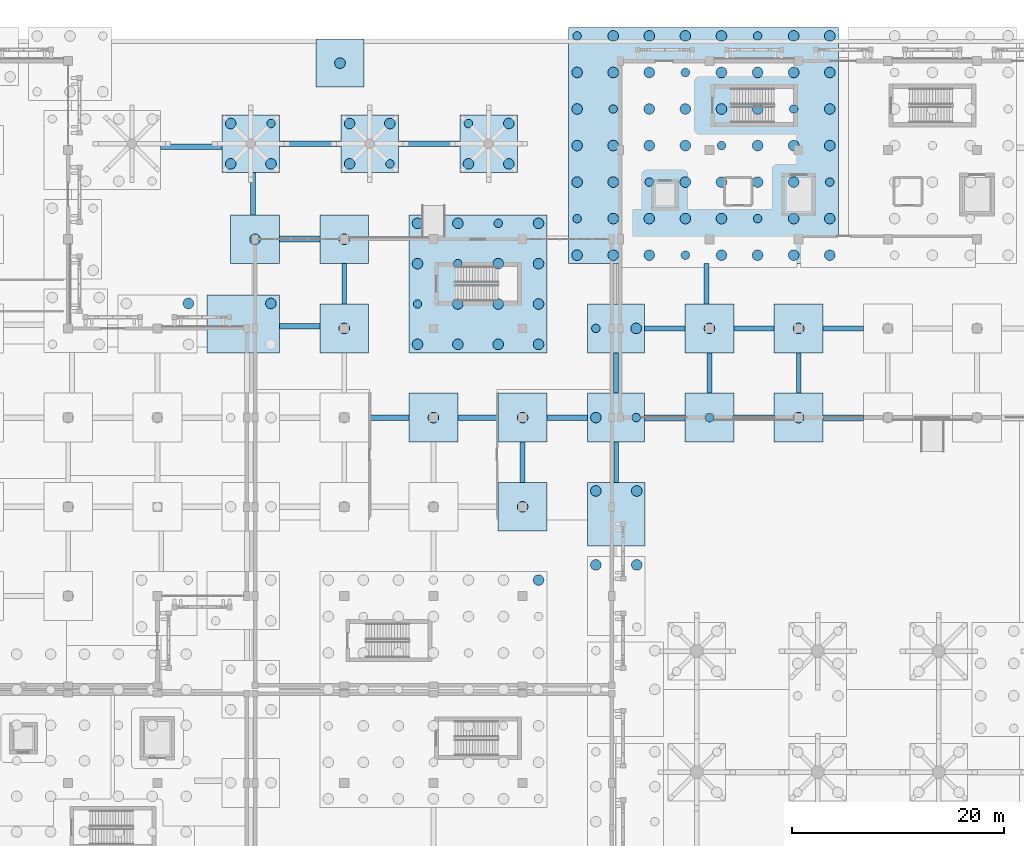
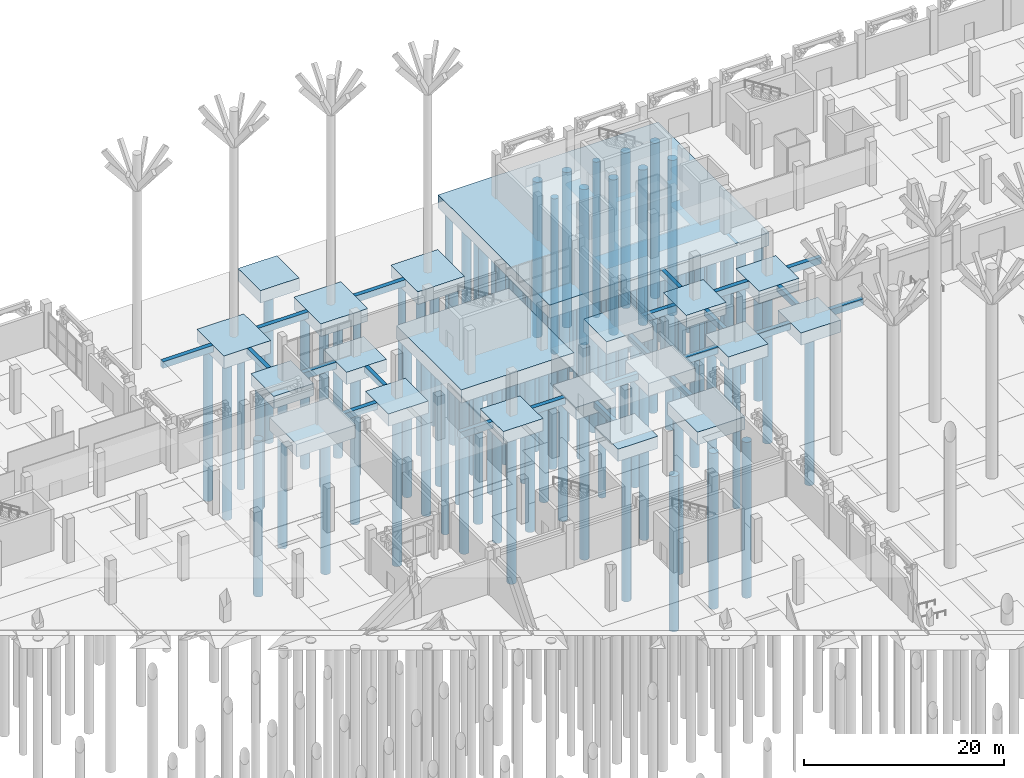
# One storey, part 6 of 98: 106 piles, 42 footings.
"""IFC4 building model written with IfcOpenShell, lengths in metres."""

import ifcopenshell
import ifcopenshell.guid

model = None  # the IFC model being written
_history = None  # IfcOwnerHistory: only IFC2X3 demands one
_inside = {}  # id of a spatial element -> (the spatial element, [elements in it])
_under = {}  # id of a project, library or spatial element -> (it, [spatial elements below it])
_declared = {}  # id of a project -> (the project, [libraries it declares])
_typed = {}  # id of a type object -> (the type object, [elements of that type])
_made_of = {}  # id of a material, layer set ... -> (it, [elements and type objects made of it])


def new_model(schema):
    """Start an empty IFC model of exactly this schema.

    Asked for "IFC4X3", IfcOpenShell would pick the latest addendum, in which some entities
    have other attributes; the version numbers below select the first issue.
    IFC2X3 requires an IfcOwnerHistory on every rooted entity: one is made here for all.
    """
    global model, _history
    if schema == "IFC4X3":
        model = ifcopenshell.file(schema_version=(4, 3, 0, 0))
    else:
        model = ifcopenshell.file(schema=schema)
    _inside.clear()
    _under.clear()
    _declared.clear()
    _typed.clear()
    _made_of.clear()
    _history = None
    if model.schema == "IFC2X3":
        org = make("IfcOrganization", Name="unknown")
        user = make(
            "IfcPersonAndOrganization",
            ThePerson=make("IfcPerson", FamilyName="unknown"),
            TheOrganization=org,
        )
        app = make(
            "IfcApplication",
            ApplicationDeveloper=org,
            Version="unknown",
            ApplicationFullName="unknown",
            ApplicationIdentifier="unknown",
        )
        _history = make(
            "IfcOwnerHistory",
            OwningUser=user,
            OwningApplication=app,
            ChangeAction="ADDED",
            CreationDate=0,
        )
    return model


def make(cls, **values):
    """One entity of the class cls with the attributes given. An attribute that is None is left unset."""
    return model.create_entity(
        cls, **{name: value for name, value in values.items() if value is not None}
    )


def rooted(cls, **values):
    """An entity with a GlobalId (a new one), such as an element, a storey or a relation."""
    return make(cls, GlobalId=ifcopenshell.guid.new(), OwnerHistory=_history, **values)


def si_unit(unit_type, name, prefix=None):
    """IfcSIUnit, for example si_unit("LENGTHUNIT", "METRE", prefix="MILLI")."""
    return make("IfcSIUnit", UnitType=unit_type, Prefix=prefix, Name=name)


def assignment(units):
    """IfcUnitAssignment: the units of a project."""
    return None if units is None else make("IfcUnitAssignment", Units=units)


def point(xyz):
    """IfcCartesianPoint."""
    return None if xyz is None else make("IfcCartesianPoint", Coordinates=xyz)


def direction(xyz):
    """IfcDirection."""
    return None if xyz is None else make("IfcDirection", DirectionRatios=xyz)


def frame(location, z_axis=None, x_axis=None):
    """IfcAxis2Placement3D, a coordinate frame: its origin and axes. An axis left out is left unset."""
    return make(
        "IfcAxis2Placement3D",
        Location=point(location),
        Axis=direction(z_axis),
        RefDirection=direction(x_axis),
    )


def frame_2d(location, x_axis=None):
    """IfcAxis2Placement2D, a coordinate frame in the plane: its origin and x axis."""
    return make(
        "IfcAxis2Placement2D", Location=point(location), RefDirection=direction(x_axis)
    )


def origin():
    """The frame at (0, 0, 0) with its axes left unset."""
    return frame((0.0, 0.0, 0.0))


def origin_2d():
    """The frame at (0, 0) in the plane with its x axis left unset."""
    return frame_2d((0.0, 0.0))


def place(relative_to, where):
    """IfcLocalPlacement: puts the frame where relative to a parent placement (None: the world)."""
    return make(
        "IfcLocalPlacement", PlacementRelTo=relative_to, RelativePlacement=where
    )


def context(
    kind, dimensions, precision=None, world=None, true_north=None, identifier=None
):
    """IfcGeometricRepresentationContext, for example the 3D "Model" context."""
    return make(
        "IfcGeometricRepresentationContext",
        ContextIdentifier=identifier,
        ContextType=kind,
        CoordinateSpaceDimension=dimensions,
        Precision=precision,
        WorldCoordinateSystem=world,
        TrueNorth=true_north,
    )


def subcontext(parent, identifier, kind, view, scale=None):
    """IfcGeometricRepresentationSubContext, for example "Body" below "Model"."""
    return make(
        "IfcGeometricRepresentationSubContext",
        ContextIdentifier=identifier,
        ContextType=kind,
        ParentContext=parent,
        TargetScale=scale,
        TargetView=view,
    )


def project(units=None, contexts=None):
    """IfcProject with its units and contexts."""
    return rooted(
        "IfcProject",
        Name="project",
        RepresentationContexts=contexts,
        UnitsInContext=assignment(units),
    )


def spatial(cls, under=None, at=None, **own):
    """A site, building, storey or space (cls), placed at a placement, below another one or the project."""
    s = rooted(cls, ObjectPlacement=at, **own)
    if under is not None:
        _under.setdefault(under.id(), (under, []))[1].append(s)
    return s


def profile(cls, at=None, kind="AREA", **sizes):
    """A parametric profile (cls). Its sizes go by their IFC names, for example OverallWidth=200.0."""
    return make(cls, ProfileType=kind, Position=at, **sizes)


def rectangle(**sizes):
    """IfcRectangleProfileDef."""
    return profile("IfcRectangleProfileDef", **sizes)


def circle(**sizes):
    """IfcCircleProfileDef."""
    return profile("IfcCircleProfileDef", **sizes)


def extrude(swept, where, along, depth):
    """IfcExtrudedAreaSolid: the profile swept, set in the frame where, extruded along a direction by depth."""
    return make(
        "IfcExtrudedAreaSolid",
        SweptArea=swept,
        Position=where,
        ExtrudedDirection=direction(along),
        Depth=depth,
    )


def shape(context_of_items, identifier, shape_type, items):
    """IfcShapeRepresentation: the items that make up one representation, for example the "Body"."""
    return make(
        "IfcShapeRepresentation",
        ContextOfItems=context_of_items,
        RepresentationIdentifier=identifier,
        RepresentationType=shape_type,
        Items=items,
    )


def material(Name=None, Category=None):
    """IfcMaterial."""
    return make("IfcMaterial", Name=Name, Category=Category)


def material_profile(
    of_material, cross_section, Name=None, Category=None, Priority=None
):
    """IfcMaterialProfile: a cross section and its material."""
    return make(
        "IfcMaterialProfile",
        Name=Name,
        Material=of_material,
        Profile=cross_section,
        Priority=Priority,
        Category=Category,
    )


def profile_set(profiles, Name=None, composite=None):
    """IfcMaterialProfileSet."""
    return make(
        "IfcMaterialProfileSet",
        Name=Name,
        MaterialProfiles=profiles,
        CompositeProfile=composite,
    )


def made_of(thing, what):
    """Note that an element or type object is made of a material, layer set ...; save() writes the relation."""
    if what is not None:
        _made_of.setdefault(what.id(), (what, []))[1].append(thing)
    return thing


def type_object(cls, material=None, **own):
    """A type object (cls), such as IfcWallType, which elements share."""
    return made_of(rooted(cls, **own), material)


def element(
    cls,
    number,
    at=None,
    inside=None,
    cuts=None,
    type_object=None,
    material=None,
    context=None,
    identifier="Body",
    shape_type=None,
    held_by="IfcProductDefinitionShape",
    body=None,
    shapes=None,
    **own,
):
    """One element of the class cls, such as IfcWall. Its Tag is "e" and its number.

    at: its placement. inside: the storey or other place that contains it. cuts: it is an
    opening in that element (IfcRelVoidsElement). A single representation is given by context,
    identifier, shape_type and body (its items); several are given by shapes. held_by: the class
    of the entity that holds the representations. save() writes the other relations.
    """
    e = rooted(cls, Tag="e%d" % number, ObjectPlacement=at, **own)
    if body is not None:
        shapes = [shape(context, identifier, shape_type, body)]
    if shapes is not None:
        e.Representation = make(held_by, Representations=shapes)
    if inside is not None:
        _inside.setdefault(inside.id(), (inside, []))[1].append(e)
    if cuts is not None:
        rooted(
            "IfcRelVoidsElement", RelatingBuildingElement=cuts, RelatedOpeningElement=e
        )
    if type_object is not None:
        _typed.setdefault(type_object.id(), (type_object, []))[1].append(e)
    return made_of(e, material)


def aggregate(whole, parts):
    """IfcRelAggregates: a whole, such as a stair, and the parts it consists of."""
    return rooted("IfcRelAggregates", RelatingObject=whole, RelatedObjects=parts)


def save(model, path):
    """Write the relations noted so far, then the file.

    IfcRelAggregates (storeys below a building ...), IfcRelContainedInSpatialStructure (elements
    in a storey), IfcRelDefinesByType, IfcRelAssociatesMaterial and IfcRelDeclares: one each for
    every whole, place, type object, material and project.
    """
    for whole, parts in _under.values():
        aggregate(whole, parts)
    for where, things in _inside.values():
        rooted(
            "IfcRelContainedInSpatialStructure",
            RelatedElements=things,
            RelatingStructure=where,
        )
    for kind, things in _typed.values():
        rooted("IfcRelDefinesByType", RelatedObjects=things, RelatingType=kind)
    for what, things in _made_of.values():
        rooted("IfcRelAssociatesMaterial", RelatedObjects=things, RelatingMaterial=what)
    for by, libraries in _declared.values():
        rooted("IfcRelDeclares", RelatingContext=by, RelatedDefinitions=libraries)
    model.write(path)


model = new_model("IFC4")

# Units and contexts
model_context = context("Model", 3, precision=1e-05, world=origin(), true_north=direction((0.0, 1.0)))
body_context = subcontext(model_context, "Body", "Model", "MODEL_VIEW")
ifc_project = project(units=[si_unit("LENGTHUNIT", "METRE"), si_unit("AREAUNIT", "SQUARE_METRE"), si_unit("VOLUMEUNIT", "CUBIC_METRE"), si_unit("PLANEANGLEUNIT", "RADIAN"), si_unit("MASSUNIT", "GRAM", prefix="KILO")], contexts=[model_context])

# Site, building, storey
site_placement = place(None, origin())
site = spatial("IfcSite", under=ifc_project, at=site_placement, CompositionType="ELEMENT")
building_placement = place(site_placement, origin())
building = spatial("IfcBuilding", under=site, at=building_placement, Name="Xazarin Passage Department Store", CompositionType="ELEMENT")
storey_placement = place(building_placement, origin())
storey = spatial("IfcBuildingStorey", under=building, at=storey_placement, Name="L00", CompositionType="ELEMENT", Elevation=0.0)

# Footings
ifc_material = material(Name="Concrete C35/45", Category="concrete")
footing_type_1 = type_object("IfcFootingType", Name="STR-CAP-PC11", PredefinedType="PILE_CAP", material=ifc_material)
for number, where, z_axis, x_axis, name in (
    (1, (93.199951171875, 68.0, -1.5), (0.0, 0.0, 1.0), (1.0, 0.0, 0.0), "Pile Cap 103"),
    (2, (84.800048828125, 76.39990234375, -1.5), (0.0, 0.0, 1.0), (1.0, 0.0, 0.0), "Pile Cap 111"),
    (3, (93.199951171875, 76.39990234375, -1.5), (0.0, 0.0, 1.0), (1.0, 0.0, 0.0), "Pile Cap 112"),
    (4, (110.800048828125, 76.39990234375, -1.5), (0.0, 0.0, 1.0), (1.0, 0.0, 0.0), "Pile Cap 114"),
    (5, (119.199951171875, 76.39990234375, -1.5), (0.0, 0.0, 1.0), (1.0, 0.0, 0.0), "Pile Cap 115"),
    (6, (76.39990234375, 84.800048828125, -1.5), (0.0, 0.0, 1.0), (1.0, 0.0, 0.0), "Pile Cap 127"),
    (7, (110.800048828125, 84.800048828125, -1.5), (0.0, 0.0, 1.0), (1.0, 0.0, 0.0), "Pile Cap 130"),
    (8, (119.199951171875, 84.800048828125, -1.5), (0.0, 0.0, 1.0), (1.0, 0.0, 0.0), "Pile Cap 131"),
    (9, (68.0, 93.199951171875, -1.5), (0.0, 0.0, 1.0), (1.0, 0.0, 0.0), "Pile Cap 141"),
    (10, (76.39990234375, 93.199951171875, -1.5), (0.0, 0.0, 1.0), (1.0, 0.0, 0.0), "Pile Cap 142"),
):
    element("IfcFooting", number, at=place(storey_placement, frame(where, z_axis=z_axis, x_axis=x_axis)), inside=storey, type_object=footing_type_1, Name=name, PredefinedType="PILE_CAP", context=body_context, shape_type="SweptSolid", body=[
        extrude(rectangle(XDim=4.60009765625, YDim=4.60009765625, at=origin_2d()), origin(), (0.0, 0.0, 1.0), 1.5),
    ])
footing_type_2 = type_object("IfcFootingType", Name="STR-CAP-PC12", PredefinedType="PILE_CAP", material=ifc_material)
footing_1_placement = place(storey_placement, frame((89.0, 89.0, -1.60009765625), z_axis=(0.0, 0.0, 1.0), x_axis=(1.0, 0.0, 0.0)))
element("IfcFooting", 11, at=footing_1_placement, inside=storey, type_object=footing_type_2, Name="Pile Cap 128", PredefinedType="PILE_CAP", context=body_context, shape_type="SweptSolid", body=[
    extrude(rectangle(XDim=13.0, YDim=13.0, at=origin_2d()), origin(), (0.0, 0.0, 1.0), 1.60009765625),
])
footing_type_3 = type_object("IfcFootingType", Name="STR-CAP-PC13", PredefinedType="PILE_CAP", material=ifc_material)
for number, where, z_axis, x_axis, name in (
    (12, (102.0, 76.39990234375, -1.5498046875), (0.0, 0.0, 1.0), (1.0, 0.0, 0.0), "Pile Cap 113"),
    (13, (102.0, 84.800048828125, -1.5498046875), (0.0, 0.0, 1.0), (1.0, 0.0, 0.0), "Pile Cap 129"),
):
    element("IfcFooting", number, at=place(storey_placement, frame(where, z_axis=z_axis, x_axis=x_axis)), inside=storey, type_object=footing_type_3, Name=name, PredefinedType="PILE_CAP", context=body_context, shape_type="SweptSolid", body=[
        extrude(rectangle(XDim=5.39990234375, YDim=4.60009765625, at=origin_2d()), origin(), (0.0, 0.0, 1.0), 1.550048828125),
    ])
footing_type_4 = type_object("IfcFootingType", Name="STR-CAP-PC14", PredefinedType="PILE_CAP", material=ifc_material)
for number, where, z_axis, x_axis, name in (
    (14, (67.60009765625, 102.199951171875, -1.5498046875), (0.0, 0.0, 1.0), (1.0, 0.0, 0.0), "Pile Cap 156"),
    (15, (78.800048828125, 102.199951171875, -1.5498046875), (0.0, 0.0, 1.0), (1.0, 0.0, 0.0), "Pile Cap 157"),
    (16, (90.0, 102.199951171875, -1.5498046875), (0.0, 0.0, 1.0), (1.0, 0.0, 0.0), "Pile Cap 158"),
):
    element("IfcFooting", number, at=place(storey_placement, frame(where, z_axis=z_axis, x_axis=x_axis)), inside=storey, type_object=footing_type_4, Name=name, PredefinedType="PILE_CAP", context=body_context, shape_type="SweptSolid", body=[
        extrude(rectangle(XDim=5.39990234375, YDim=5.39990234375, at=origin_2d()), origin(), (0.0, 0.0, 1.0), 1.550048828125),
    ])
footing_type_5 = type_object("IfcFootingType", Name="STR-CAP-PC27", PredefinedType="PILE_CAP", material=ifc_material)
footing_2_placement = place(storey_placement, frame((102.02490234375, 67.2900390625, -1.5498046875), z_axis=(0.0, 0.0, 1.0), x_axis=(0.0, 1.0, 0.0)))
element("IfcFooting", 17, at=footing_2_placement, inside=storey, type_object=footing_type_5, Name="Pile Cap 092", PredefinedType="PILE_CAP", context=body_context, shape_type="SweptSolid", body=[
    extrude(rectangle(XDim=6.0, YDim=5.449951171875, at=origin_2d()), origin(), (0.0, 0.0, 1.0), 1.550048828125),
])
footing_type_6 = type_object("IfcFootingType", Name="STR-CAP-PC31", PredefinedType="PILE_CAP", material=ifc_material)
footing_3_placement = place(storey_placement, frame((110.22998046875, 102.02490234375, -1.60009765625), z_axis=(0.0, 0.0, 1.0), x_axis=(1.0, 0.0, 0.0)))
element("IfcFooting", 18, at=footing_3_placement, inside=storey, type_object=footing_type_6, Name="Pile Cap 143", PredefinedType="PILE_CAP", context=body_context, shape_type="SweptSolid", body=[
    extrude(rectangle(XDim=25.39990234375, YDim=22.25, at=origin_2d()), origin(), (0.0, 0.0, 1.0), 1.60009765625),
])
footing_type_7 = type_object("IfcFootingType", Name="STR-CAP-PC4", PredefinedType="PILE_CAP", material=ifc_material)
footing_4_placement = place(storey_placement, frame((76.0, 109.7900390625, -1.5), z_axis=(0.0, 0.0, 1.0), x_axis=(1.0, 0.0, 0.0)))
element("IfcFooting", 19, at=footing_4_placement, inside=storey, type_object=footing_type_7, Name="Pile Cap 162", PredefinedType="PILE_CAP", context=body_context, shape_type="SweptSolid", body=[
    extrude(rectangle(XDim=4.5, YDim=4.5, at=origin_2d()), origin(), (0.0, 0.0, 1.0), 1.5),
])
footing_type_8 = type_object("IfcFootingType", Name="STR-CAP-PC9", PredefinedType="PILE_CAP", material=ifc_material)
footing_5_placement = place(storey_placement, frame((66.889892578125, 85.22509765625, -1.5498046875), z_axis=(0.0, 0.0, 1.0), x_axis=(1.0, 0.0, 0.0)))
element("IfcFooting", 20, at=footing_5_placement, inside=storey, type_object=footing_type_8, Name="Pile Cap 126", PredefinedType="PILE_CAP", context=body_context, shape_type="SweptSolid", body=[
    extrude(rectangle(XDim=6.800048828125, YDim=5.449951171875, at=origin_2d()), origin(), (0.0, 0.0, 1.0), 1.550048828125),
])
ifc_material_profile_1 = material_profile(ifc_material, rectangle(XDim=0.449951171875, YDim=0.699951171875, at=origin_2d()), Name="RC 450x700")
ifc_profile_set_1 = profile_set([ifc_material_profile_1], Name="Concrete C35/45")
footing_type_9 = type_object("IfcFootingType", Name="STR-FTG-TB450x700", PredefinedType="FOOTING_BEAM", material=ifc_profile_set_1)
footing_6_placement = place(storey_placement, frame((102.012451171875, 70.2900390625, -0.35009765625), z_axis=(0.0, 1.0, 0.0), x_axis=(-1.0, 0.0, 0.0)))
element("IfcFooting", 21, at=footing_6_placement, inside=storey, type_object=footing_type_9, Name="Ground Tie Beam 092", PredefinedType="FOOTING_BEAM", context=body_context, shape_type="SweptSolid", body=[
    extrude(rectangle(XDim=0.449951171875, YDim=0.699951171875, at=origin_2d()), origin(), (0.0, 0.0, 1.0), 3.81005859375),
])
for number, where, z_axis, x_axis, name in (
    (22, (93.199951171875, 70.300048828125, -0.35009765625), (0.0, 1.0, 0.0), (-1.0, 0.0, 0.0), "Ground Tie Beam 110"),
    (23, (102.0, 78.699951171875, -0.35009765625), (0.0, 1.0, 0.0), (-1.0, 0.0, 0.0), "Ground Tie Beam 125"),
    (24, (110.800048828125, 78.699951171875, -0.35009765625), (0.0, 1.0, 0.0), (-1.0, 0.0, 0.0), "Ground Tie Beam 127"),
    (25, (119.199951171875, 78.699951171875, -0.35009765625), (0.0, 1.0, 0.0), (-1.0, 0.0, 0.0), "Ground Tie Beam 129"),
):
    element("IfcFooting", number, at=place(storey_placement, frame(where, z_axis=z_axis, x_axis=x_axis)), inside=storey, type_object=footing_type_9, Name=name, PredefinedType="FOOTING_BEAM", context=body_context, shape_type="SweptSolid", body=[
        extrude(rectangle(XDim=0.449951171875, YDim=0.699951171875, at=origin_2d()), origin(), (0.0, 0.0, 1.0), 3.800048828125),
    ])
for number, where, z_axis, x_axis, name in (
    (26, (76.39990234375, 87.10009765625, -0.35009765625), (0.0, 1.0, 0.0), (-1.0, 0.0, 0.0), "Ground Tie Beam 142"),
    (27, (110.514892578125, 87.10009765625, -0.35009765625), (0.0, 1.0, 0.0), (-1.0, 0.0, 0.0), "Ground Tie Beam 145"),
):
    element("IfcFooting", number, at=place(storey_placement, frame(where, z_axis=z_axis, x_axis=x_axis)), inside=storey, type_object=footing_type_9, Name=name, PredefinedType="FOOTING_BEAM", context=body_context, shape_type="SweptSolid", body=[
        extrude(rectangle(XDim=0.449951171875, YDim=0.699951171875, at=origin_2d()), origin(), (0.0, 0.0, 1.0), 3.7998046875),
    ])
footing_7_placement = place(storey_placement, frame((67.800048828125, 95.5, -0.35009765625), z_axis=(0.0, 1.0, 0.0), x_axis=(-1.0, 0.0, 0.0)))
element("IfcFooting", 28, at=footing_7_placement, inside=storey, type_object=footing_type_9, Name="Ground Tie Beam 156", PredefinedType="FOOTING_BEAM", context=body_context, shape_type="SweptSolid", body=[
    extrude(rectangle(XDim=0.449951171875, YDim=0.699951171875, at=origin_2d()), origin(), (0.0, 0.0, 1.0), 4.0),
])
ifc_material_profile_2 = material_profile(ifc_material, rectangle(XDim=0.5, YDim=0.800048828125, at=origin_2d()), Name="RC 500x800")
ifc_profile_set_2 = profile_set([ifc_material_profile_2], Name="Concrete C35/45")
footing_type_10 = type_object("IfcFootingType", Name="STR-FTG-TB500x800", PredefinedType="FOOTING_BEAM", material=ifc_profile_set_2)
footing_8_placement = place(storey_placement, frame((78.699951171875, 76.39990234375, -0.39990234375), z_axis=(1.0, 0.0, 0.0), x_axis=(0.0, 1.0, 0.0)))
element("IfcFooting", 29, at=footing_8_placement, inside=storey, type_object=footing_type_10, Name="Ground Tie Beam 120", PredefinedType="FOOTING_BEAM", context=body_context, shape_type="SweptSolid", body=[
    extrude(rectangle(XDim=0.5, YDim=0.800048828125, at=origin_2d()), origin(), (0.0, 0.0, 1.0), 3.800048828125),
])
footing_9_placement = place(storey_placement, frame((87.10009765625, 76.39990234375, -0.39990234375), z_axis=(1.0, 0.0, 0.0), x_axis=(0.0, 1.0, 0.0)))
element("IfcFooting", 30, at=footing_9_placement, inside=storey, type_object=footing_type_10, Name="Ground Tie Beam 122", PredefinedType="FOOTING_BEAM", context=body_context, shape_type="SweptSolid", body=[
    extrude(rectangle(XDim=0.5, YDim=0.800048828125, at=origin_2d()), origin(), (0.0, 0.0, 1.0), 3.7998046875),
])
for number, where, z_axis, x_axis, name in (
    (31, (95.5, 76.39990234375, -0.39990234375), (1.0, 0.0, 0.0), (0.0, 1.0, 0.0), "Ground Tie Beam 123"),
    (32, (104.699951171875, 76.39990234375, -0.39990234375), (1.0, 0.0, 0.0), (0.0, 1.0, 0.0), "Ground Tie Beam 124"),
):
    element("IfcFooting", number, at=place(storey_placement, frame(where, z_axis=z_axis, x_axis=x_axis)), inside=storey, type_object=footing_type_10, Name=name, PredefinedType="FOOTING_BEAM", context=body_context, shape_type="SweptSolid", body=[
        extrude(rectangle(XDim=0.5, YDim=0.800048828125, at=origin_2d()), origin(), (0.0, 0.0, 1.0), 3.800048828125),
    ])
footing_10_placement = place(storey_placement, frame((113.10009765625, 76.39990234375, -0.39990234375), z_axis=(1.0, 0.0, 0.0), x_axis=(0.0, 1.0, 0.0)))
element("IfcFooting", 33, at=footing_10_placement, inside=storey, type_object=footing_type_10, Name="Ground Tie Beam 126", PredefinedType="FOOTING_BEAM", context=body_context, shape_type="SweptSolid", body=[
    extrude(rectangle(XDim=0.5, YDim=0.800048828125, at=origin_2d()), origin(), (0.0, 0.0, 1.0), 3.7998046875),
])
footing_11_placement = place(storey_placement, frame((121.5, 76.39990234375, -0.39990234375), z_axis=(1.0, 0.0, 0.0), x_axis=(0.0, 1.0, 0.0)))
element("IfcFooting", 34, at=footing_11_placement, inside=storey, type_object=footing_type_10, Name="Ground Tie Beam 128", PredefinedType="FOOTING_BEAM", context=body_context, shape_type="SweptSolid", body=[
    extrude(rectangle(XDim=0.5, YDim=0.800048828125, at=origin_2d()), origin(), (0.0, 0.0, 1.0), 3.800048828125),
])
footing_12_placement = place(storey_placement, frame((70.2900390625, 85.012451171875, -0.39990234375), z_axis=(1.0, 0.0, 0.0), x_axis=(0.0, 1.0, 0.0)))
element("IfcFooting", 35, at=footing_12_placement, inside=storey, type_object=footing_type_10, Name="Ground Tie Beam 141", PredefinedType="FOOTING_BEAM", context=body_context, shape_type="SweptSolid", body=[
    extrude(rectangle(XDim=0.5, YDim=0.800048828125, at=origin_2d()), origin(), (0.0, 0.0, 1.0), 3.81005859375),
])
footing_13_placement = place(storey_placement, frame((104.699951171875, 84.800048828125, -0.39990234375), z_axis=(1.0, 0.0, 0.0), x_axis=(0.0, 1.0, 0.0)))
element("IfcFooting", 36, at=footing_13_placement, inside=storey, type_object=footing_type_10, Name="Ground Tie Beam 143", PredefinedType="FOOTING_BEAM", context=body_context, shape_type="SweptSolid", body=[
    extrude(rectangle(XDim=0.5, YDim=0.800048828125, at=origin_2d()), origin(), (0.0, 0.0, 1.0), 3.800048828125),
])
footing_14_placement = place(storey_placement, frame((113.10009765625, 84.800048828125, -0.39990234375), z_axis=(1.0, 0.0, 0.0), x_axis=(0.0, 1.0, 0.0)))
element("IfcFooting", 37, at=footing_14_placement, inside=storey, type_object=footing_type_10, Name="Ground Tie Beam 144", PredefinedType="FOOTING_BEAM", context=body_context, shape_type="SweptSolid", body=[
    extrude(rectangle(XDim=0.5, YDim=0.800048828125, at=origin_2d()), origin(), (0.0, 0.0, 1.0), 3.7998046875),
])
for number, where, z_axis, x_axis, name in (
    (38, (121.5, 84.800048828125, -0.39990234375), (1.0, 0.0, 0.0), (0.0, 1.0, 0.0), "Ground Tie Beam 146"),
    (39, (70.300048828125, 93.199951171875, -0.39990234375), (1.0, 0.0, 0.0), (0.0, 1.0, 0.0), "Ground Tie Beam 155"),
):
    element("IfcFooting", number, at=place(storey_placement, frame(where, z_axis=z_axis, x_axis=x_axis)), inside=storey, type_object=footing_type_10, Name=name, PredefinedType="FOOTING_BEAM", context=body_context, shape_type="SweptSolid", body=[
        extrude(rectangle(XDim=0.5, YDim=0.800048828125, at=origin_2d()), origin(), (0.0, 0.0, 1.0), 3.800048828125),
    ])
footing_15_placement = place(storey_placement, frame((59.10009765625, 101.89990234375, -0.39990234375), z_axis=(1.0, 0.0, 0.0), x_axis=(0.0, 1.0, 0.0)))
element("IfcFooting", 40, at=footing_15_placement, inside=storey, type_object=footing_type_10, Name="Ground Tie Beam 164", PredefinedType="FOOTING_BEAM", context=body_context, shape_type="SweptSolid", body=[
    extrude(rectangle(XDim=0.5, YDim=0.800048828125, at=origin_2d()), origin(), (0.0, 0.0, 1.0), 5.7998046875),
])
for number, where, z_axis, x_axis, name in (
    (41, (70.300048828125, 102.199951171875, -0.39990234375), (1.0, 0.0, 0.0), (0.0, 1.0, 0.0), "Ground Tie Beam 171"),
    (42, (81.5, 102.199951171875, -0.39990234375), (1.0, 0.0, 0.0), (0.0, 1.0, 0.0), "Ground Tie Beam 172"),
):
    element("IfcFooting", number, at=place(storey_placement, frame(where, z_axis=z_axis, x_axis=x_axis)), inside=storey, type_object=footing_type_10, Name=name, PredefinedType="FOOTING_BEAM", context=body_context, shape_type="SweptSolid", body=[
        extrude(rectangle(XDim=0.5, YDim=0.800048828125, at=origin_2d()), origin(), (0.0, 0.0, 1.0), 5.800048828125),
    ])

# Piles
ifc_material_profile_3 = material_profile(ifc_material, circle(Radius=0.5, at=origin_2d()), Name="BP 1000")
ifc_profile_set_3 = profile_set([ifc_material_profile_3], Name="Concrete C35/45")
pile_type_1 = type_object("IfcPileType", Name="STR-PIL-BP1000", PredefinedType="BORED", material=ifc_profile_set_3)
pile_1_placement = place(storey_placement, frame((94.699951171875, 61.10009765625, -1.5), z_axis=(0.0, 0.0, -1.0), x_axis=(1.0, 0.0, 0.0)))
element("IfcPile", 43, at=pile_1_placement, inside=storey, type_object=pile_type_1, Name="Bored Pile 067-49", PredefinedType="BORED", context=body_context, shape_type="SweptSolid", body=[
    extrude(circle(Radius=0.5, at=origin_2d()), origin(), (0.0, 0.0, 1.0), 19.0),
])
for number, where, z_axis, x_axis, name in (
    (44, (100.10009765625, 62.52490234375, -1.449951171875), (0.0, 0.0, -1.0), (1.0, 0.0, 0.0), "Bored Pile 083-1"),
    (45, (103.949951171875, 62.52490234375, -1.449951171875), (0.0, 0.0, -1.0), (1.0, 0.0, 0.0), "Bored Pile 083-3"),
    (46, (100.10009765625, 69.489990234375, -1.449951171875), (0.0, 0.0, -1.0), (1.0, 0.0, 0.0), "Bored Pile 092-1"),
    (47, (103.949951171875, 69.489990234375, -1.449951171875), (0.0, 0.0, -1.0), (1.0, 0.0, 0.0), "Bored Pile 092-2"),
):
    element("IfcPile", number, at=place(storey_placement, frame(where, z_axis=z_axis, x_axis=x_axis)), inside=storey, type_object=pile_type_1, Name=name, PredefinedType="BORED", context=body_context, shape_type="SweptSolid", body=[
        extrude(circle(Radius=0.5, at=origin_2d()), origin(), (0.0, 0.0, 1.0), 19.050048828125),
    ])
for number, where, z_axis, x_axis, name in (
    (48, (93.199951171875, 68.0, -1.39990234375), (0.0, 0.0, -1.0), (1.0, 0.0, 0.0), "Bored Pile 103-1"),
    (49, (84.800048828125, 76.39990234375, -1.39990234375), (0.0, 0.0, -1.0), (1.0, 0.0, 0.0), "Bored Pile 111-1"),
    (50, (93.199951171875, 76.39990234375, -1.39990234375), (0.0, 0.0, -1.0), (1.0, 0.0, 0.0), "Bored Pile 112-1"),
):
    element("IfcPile", number, at=place(storey_placement, frame(where, z_axis=z_axis, x_axis=x_axis)), inside=storey, type_object=pile_type_1, Name=name, PredefinedType="BORED", context=body_context, shape_type="SweptSolid", body=[
        extrude(circle(Radius=0.5, at=origin_2d()), origin(), (0.0, 0.0, 1.0), 19.10009765625),
    ])
pile_2_placement = place(storey_placement, frame((100.10009765625, 76.39990234375, -1.449951171875), z_axis=(0.0, 0.0, -1.0), x_axis=(1.0, 0.0, 0.0)))
element("IfcPile", 51, at=pile_2_placement, inside=storey, type_object=pile_type_1, Name="Bored Pile 113-1", PredefinedType="BORED", context=body_context, shape_type="SweptSolid", body=[
    extrude(circle(Radius=0.5, at=origin_2d()), origin(), (0.0, 0.0, 1.0), 19.050048828125),
])
pile_3_placement = place(storey_placement, frame((119.199951171875, 76.39990234375, -1.39990234375), z_axis=(0.0, 0.0, -1.0), x_axis=(1.0, 0.0, 0.0)))
element("IfcPile", 52, at=pile_3_placement, inside=storey, type_object=pile_type_1, Name="Bored Pile 115-1", PredefinedType="BORED", context=body_context, shape_type="SweptSolid", body=[
    extrude(circle(Radius=0.5, at=origin_2d()), origin(), (0.0, 0.0, 1.0), 19.10009765625),
])
for number, where, z_axis, x_axis, name in (
    (53, (61.72509765625, 87.14990234375, -1.449951171875), (0.0, 0.0, -1.0), (1.0, 0.0, 0.0), "Bored Pile 125-3"),
    (54, (69.489990234375, 87.14990234375, -1.449951171875), (0.0, 0.0, -1.0), (1.0, 0.0, 0.0), "Bored Pile 126-2"),
):
    element("IfcPile", number, at=place(storey_placement, frame(where, z_axis=z_axis, x_axis=x_axis)), inside=storey, type_object=pile_type_1, Name=name, PredefinedType="BORED", context=body_context, shape_type="SweptSolid", body=[
        extrude(circle(Radius=0.5, at=origin_2d()), origin(), (0.0, 0.0, 1.0), 19.050048828125),
    ])
pile_4_placement = place(storey_placement, frame((76.39990234375, 84.800048828125, -1.39990234375), z_axis=(0.0, 0.0, -1.0), x_axis=(1.0, 0.0, 0.0)))
element("IfcPile", 55, at=pile_4_placement, inside=storey, type_object=pile_type_1, Name="Bored Pile 127-1", PredefinedType="BORED", context=body_context, shape_type="SweptSolid", body=[
    extrude(circle(Radius=0.5, at=origin_2d()), origin(), (0.0, 0.0, 1.0), 19.10009765625),
])
for number, where, z_axis, x_axis, name in (
    (56, (83.300048828125, 83.300048828125, -1.5), (0.0, 0.0, -1.0), (1.0, 0.0, 0.0), "Bored Pile 128-1"),
    (57, (83.300048828125, 90.89990234375, -1.5), (0.0, 0.0, -1.0), (1.0, 0.0, 0.0), "Bored Pile 128-3"),
    (58, (83.300048828125, 94.699951171875, -1.5), (0.0, 0.0, -1.0), (1.0, 0.0, 0.0), "Bored Pile 128-4"),
    (59, (87.10009765625, 83.300048828125, -1.5), (0.0, 0.0, -1.0), (1.0, 0.0, 0.0), "Bored Pile 128-5"),
    (60, (87.10009765625, 87.10009765625, -1.5), (0.0, 0.0, -1.0), (1.0, 0.0, 0.0), "Bored Pile 128-6"),
    (61, (87.10009765625, 94.699951171875, -1.5), (0.0, 0.0, -1.0), (1.0, 0.0, 0.0), "Bored Pile 128-8"),
    (62, (90.89990234375, 83.300048828125, -1.5), (0.0, 0.0, -1.0), (1.0, 0.0, 0.0), "Bored Pile 128-9"),
    (63, (90.89990234375, 87.10009765625, -1.5), (0.0, 0.0, -1.0), (1.0, 0.0, 0.0), "Bored Pile 128-10"),
    (64, (90.89990234375, 90.89990234375, -1.5), (0.0, 0.0, -1.0), (1.0, 0.0, 0.0), "Bored Pile 128-11"),
    (65, (94.699951171875, 83.300048828125, -1.5), (0.0, 0.0, -1.0), (1.0, 0.0, 0.0), "Bored Pile 128-13"),
    (66, (94.699951171875, 87.10009765625, -1.5), (0.0, 0.0, -1.0), (1.0, 0.0, 0.0), "Bored Pile 128-14"),
    (67, (94.699951171875, 90.89990234375, -1.5), (0.0, 0.0, -1.0), (1.0, 0.0, 0.0), "Bored Pile 128-15"),
    (68, (94.699951171875, 94.699951171875, -1.5), (0.0, 0.0, -1.0), (1.0, 0.0, 0.0), "Bored Pile 128-16"),
):
    element("IfcPile", number, at=place(storey_placement, frame(where, z_axis=z_axis, x_axis=x_axis)), inside=storey, type_object=pile_type_1, Name=name, PredefinedType="BORED", context=body_context, shape_type="SweptSolid", body=[
        extrude(circle(Radius=0.5, at=origin_2d()), origin(), (0.0, 0.0, 1.0), 19.0),
    ])
pile_5_placement = place(storey_placement, frame((103.89990234375, 84.800048828125, -1.449951171875), z_axis=(0.0, 0.0, -1.0), x_axis=(1.0, 0.0, 0.0)))
element("IfcPile", 69, at=pile_5_placement, inside=storey, type_object=pile_type_1, Name="Bored Pile 129-2", PredefinedType="BORED", context=body_context, shape_type="SweptSolid", body=[
    extrude(circle(Radius=0.5, at=origin_2d()), origin(), (0.0, 0.0, 1.0), 19.050048828125),
])
for number, where, z_axis, x_axis, name in (
    (70, (110.800048828125, 84.800048828125, -1.39990234375), (0.0, 0.0, -1.0), (1.0, 0.0, 0.0), "Bored Pile 130-1"),
    (71, (119.199951171875, 84.800048828125, -1.39990234375), (0.0, 0.0, -1.0), (1.0, 0.0, 0.0), "Bored Pile 131-1"),
    (72, (68.0, 93.199951171875, -1.39990234375), (0.0, 0.0, -1.0), (1.0, 0.0, 0.0), "Bored Pile 141-1"),
    (73, (76.39990234375, 93.199951171875, -1.39990234375), (0.0, 0.0, -1.0), (1.0, 0.0, 0.0), "Bored Pile 142-1"),
):
    element("IfcPile", number, at=place(storey_placement, frame(where, z_axis=z_axis, x_axis=x_axis)), inside=storey, type_object=pile_type_1, Name=name, PredefinedType="BORED", context=body_context, shape_type="SweptSolid", body=[
        extrude(circle(Radius=0.5, at=origin_2d()), origin(), (0.0, 0.0, 1.0), 19.10009765625),
    ])
for number, where, z_axis, x_axis, name in (
    (74, (98.330078125, 91.699951171875, -1.5), (0.0, 0.0, -1.0), (1.0, 0.0, 0.0), "Bored Pile 143-1"),
    (75, (98.330078125, 98.583251953125, -1.5), (0.0, 0.0, -1.0), (1.0, 0.0, 0.0), "Bored Pile 143-3"),
    (76, (98.330078125, 102.02490234375, -1.5), (0.0, 0.0, -1.0), (1.0, 0.0, 0.0), "Bored Pile 143-4"),
    (77, (98.330078125, 105.466796875, -1.5), (0.0, 0.0, -1.0), (1.0, 0.0, 0.0), "Bored Pile 143-5"),
    (78, (98.330078125, 108.908203125, -1.5), (0.0, 0.0, -1.0), (1.0, 0.0, 0.0), "Bored Pile 143-6"),
    (79, (101.72998046875, 91.699951171875, -1.5), (0.0, 0.0, -1.0), (1.0, 0.0, 0.0), "Bored Pile 143-8"),
    (80, (101.72998046875, 95.1416015625, -1.5), (0.0, 0.0, -1.0), (1.0, 0.0, 0.0), "Bored Pile 143-9"),
    (81, (101.72998046875, 98.583251953125, -1.5), (0.0, 0.0, -1.0), (1.0, 0.0, 0.0), "Bored Pile 143-10"),
    (82, (101.72998046875, 102.02490234375, -1.5), (0.0, 0.0, -1.0), (1.0, 0.0, 0.0), "Bored Pile 143-11"),
    (83, (101.72998046875, 108.908203125, -1.5), (0.0, 0.0, -1.0), (1.0, 0.0, 0.0), "Bored Pile 143-13"),
    (84, (101.72998046875, 112.35009765625, -1.5), (0.0, 0.0, -1.0), (1.0, 0.0, 0.0), "Bored Pile 143-14"),
    (85, (105.1298828125, 91.699951171875, -1.5), (0.0, 0.0, -1.0), (1.0, 0.0, 0.0), "Bored Pile 143-15"),
    (86, (105.1298828125, 95.1416015625, -1.5), (0.0, 0.0, -1.0), (1.0, 0.0, 0.0), "Bored Pile 143-16"),
    (87, (105.1298828125, 102.02490234375, -1.5), (0.0, 0.0, -1.0), (1.0, 0.0, 0.0), "Bored Pile 143-18"),
    (88, (105.1298828125, 105.466796875, -1.5), (0.0, 0.0, -1.0), (1.0, 0.0, 0.0), "Bored Pile 143-19"),
    (89, (105.1298828125, 108.908203125, -1.5), (0.0, 0.0, -1.0), (1.0, 0.0, 0.0), "Bored Pile 143-20"),
    (90, (105.1298828125, 112.35009765625, -1.5), (0.0, 0.0, -1.0), (1.0, 0.0, 0.0), "Bored Pile 143-21"),
    (91, (108.530029296875, 95.1416015625, -1.5), (0.0, 0.0, -1.0), (1.0, 0.0, 0.0), "Bored Pile 143-23"),
    (92, (108.530029296875, 98.583251953125, -1.5), (0.0, 0.0, -1.0), (1.0, 0.0, 0.0), "Bored Pile 143-24"),
    (93, (108.530029296875, 102.02490234375, -1.5), (0.0, 0.0, -1.0), (1.0, 0.0, 0.0), "Bored Pile 143-25"),
    (94, (108.530029296875, 105.466796875, -1.5), (0.0, 0.0, -1.0), (1.0, 0.0, 0.0), "Bored Pile 143-26"),
    (95, (108.530029296875, 112.35009765625, -1.5), (0.0, 0.0, -1.0), (1.0, 0.0, 0.0), "Bored Pile 143-28"),
    (96, (111.929931640625, 91.699951171875, -1.5), (0.0, 0.0, -1.0), (1.0, 0.0, 0.0), "Bored Pile 143-29"),
    (97, (111.929931640625, 95.1416015625, -1.5), (0.0, 0.0, -1.0), (1.0, 0.0, 0.0), "Bored Pile 143-30"),
    (98, (111.929931640625, 98.583251953125, -1.5), (0.0, 0.0, -1.0), (1.0, 0.0, 0.0), "Bored Pile 143-31"),
    (99, (111.929931640625, 105.466796875, -1.5), (0.0, 0.0, -1.0), (1.0, 0.0, 0.0), "Bored Pile 143-33"),
    (100, (111.929931640625, 108.908203125, -1.5), (0.0, 0.0, -1.0), (1.0, 0.0, 0.0), "Bored Pile 143-34"),
    (101, (111.929931640625, 112.35009765625, -1.5), (0.0, 0.0, -1.0), (1.0, 0.0, 0.0), "Bored Pile 143-35"),
    (102, (115.330078125, 91.699951171875, -1.5), (0.0, 0.0, -1.0), (1.0, 0.0, 0.0), "Bored Pile 143-36"),
    (103, (115.330078125, 98.583251953125, -1.5), (0.0, 0.0, -1.0), (1.0, 0.0, 0.0), "Bored Pile 143-38"),
    (104, (115.330078125, 102.02490234375, -1.5), (0.0, 0.0, -1.0), (1.0, 0.0, 0.0), "Bored Pile 143-39"),
    (105, (115.330078125, 105.466796875, -1.5), (0.0, 0.0, -1.0), (1.0, 0.0, 0.0), "Bored Pile 143-40"),
    (106, (115.330078125, 108.908203125, -1.5), (0.0, 0.0, -1.0), (1.0, 0.0, 0.0), "Bored Pile 143-41"),
    (107, (118.72998046875, 91.699951171875, -1.5), (0.0, 0.0, -1.0), (1.0, 0.0, 0.0), "Bored Pile 143-43"),
    (108, (118.72998046875, 95.1416015625, -1.5), (0.0, 0.0, -1.0), (1.0, 0.0, 0.0), "Bored Pile 143-44"),
    (109, (118.72998046875, 98.583251953125, -1.5), (0.0, 0.0, -1.0), (1.0, 0.0, 0.0), "Bored Pile 143-45"),
    (110, (118.72998046875, 102.02490234375, -1.5), (0.0, 0.0, -1.0), (1.0, 0.0, 0.0), "Bored Pile 143-46"),
    (111, (118.72998046875, 108.908203125, -1.5), (0.0, 0.0, -1.0), (1.0, 0.0, 0.0), "Bored Pile 143-48"),
    (112, (118.72998046875, 112.35009765625, -1.5), (0.0, 0.0, -1.0), (1.0, 0.0, 0.0), "Bored Pile 143-49"),
    (113, (122.1298828125, 91.699951171875, -1.5), (0.0, 0.0, -1.0), (1.0, 0.0, 0.0), "Bored Pile 143-50"),
    (114, (122.1298828125, 95.1416015625, -1.5), (0.0, 0.0, -1.0), (1.0, 0.0, 0.0), "Bored Pile 143-51"),
    (115, (122.1298828125, 102.02490234375, -1.5), (0.0, 0.0, -1.0), (1.0, 0.0, 0.0), "Bored Pile 143-53"),
    (116, (122.1298828125, 105.466796875, -1.5), (0.0, 0.0, -1.0), (1.0, 0.0, 0.0), "Bored Pile 143-54"),
    (117, (122.1298828125, 108.908203125, -1.5), (0.0, 0.0, -1.0), (1.0, 0.0, 0.0), "Bored Pile 143-55"),
    (118, (122.1298828125, 112.35009765625, -1.5), (0.0, 0.0, -1.0), (1.0, 0.0, 0.0), "Bored Pile 143-56"),
):
    element("IfcPile", number, at=place(storey_placement, frame(where, z_axis=z_axis, x_axis=x_axis)), inside=storey, type_object=pile_type_1, Name=name, PredefinedType="BORED", context=body_context, shape_type="SweptSolid", body=[
        extrude(circle(Radius=0.5, at=origin_2d()), origin(), (0.0, 0.0, 1.0), 19.0),
    ])
for number, where, z_axis, x_axis, name in (
    (119, (65.699951171875, 100.300048828125, -1.449951171875), (0.0, 0.0, -1.0), (1.0, 0.0, 0.0), "Bored Pile 156-1"),
    (120, (65.699951171875, 104.10009765625, -1.449951171875), (0.0, 0.0, -1.0), (1.0, 0.0, 0.0), "Bored Pile 156-2"),
    (121, (69.5, 100.300048828125, -1.449951171875), (0.0, 0.0, -1.0), (1.0, 0.0, 0.0), "Bored Pile 156-3"),
    (122, (76.89990234375, 100.300048828125, -1.449951171875), (0.0, 0.0, -1.0), (1.0, 0.0, 0.0), "Bored Pile 157-1"),
    (123, (76.89990234375, 104.10009765625, -1.449951171875), (0.0, 0.0, -1.0), (1.0, 0.0, 0.0), "Bored Pile 157-2"),
    (124, (80.699951171875, 104.10009765625, -1.449951171875), (0.0, 0.0, -1.0), (1.0, 0.0, 0.0), "Bored Pile 157-4"),
    (125, (88.10009765625, 100.300048828125, -1.449951171875), (0.0, 0.0, -1.0), (1.0, 0.0, 0.0), "Bored Pile 158-1"),
    (126, (91.89990234375, 100.300048828125, -1.449951171875), (0.0, 0.0, -1.0), (1.0, 0.0, 0.0), "Bored Pile 158-3"),
    (127, (91.89990234375, 104.10009765625, -1.449951171875), (0.0, 0.0, -1.0), (1.0, 0.0, 0.0), "Bored Pile 158-4"),
):
    element("IfcPile", number, at=place(storey_placement, frame(where, z_axis=z_axis, x_axis=x_axis)), inside=storey, type_object=pile_type_1, Name=name, PredefinedType="BORED", context=body_context, shape_type="SweptSolid", body=[
        extrude(circle(Radius=0.5, at=origin_2d()), origin(), (0.0, 0.0, 1.0), 19.050048828125),
    ])
pile_6_placement = place(storey_placement, frame((76.0, 109.7900390625, -1.39990234375), z_axis=(0.0, 0.0, -1.0), x_axis=(1.0, 0.0, 0.0)))
element("IfcPile", 128, at=pile_6_placement, inside=storey, type_object=pile_type_1, Name="Bored Pile 162-1", PredefinedType="BORED", context=body_context, shape_type="SweptSolid", body=[
    extrude(circle(Radius=0.5, at=origin_2d()), origin(), (0.0, 0.0, 1.0), 19.10009765625),
])
ifc_material_profile_4 = material_profile(ifc_material, circle(Radius=0.39990234375, at=origin_2d()), Name="BP 800")
ifc_profile_set_4 = profile_set([ifc_material_profile_4], Name="Concrete C35/45")
pile_type_2 = type_object("IfcPileType", Name="STR-PIL-BP800", PredefinedType="BORED", material=ifc_profile_set_4)
pile_7_placement = place(storey_placement, frame((103.89990234375, 76.39990234375, -1.449951171875), z_axis=(0.0, 0.0, -1.0), x_axis=(1.0, 0.0, 0.0)))
element("IfcPile", 129, at=pile_7_placement, inside=storey, type_object=pile_type_2, Name="Bored Pile 113-2", PredefinedType="BORED", context=body_context, shape_type="SweptSolid", body=[
    extrude(circle(Radius=0.39990234375, at=origin_2d()), origin(), (0.0, 0.0, 1.0), 19.050048828125),
])
pile_8_placement = place(storey_placement, frame((110.800048828125, 76.39990234375, -1.39990234375), z_axis=(0.0, 0.0, -1.0), x_axis=(1.0, 0.0, 0.0)))
element("IfcPile", 130, at=pile_8_placement, inside=storey, type_object=pile_type_2, Name="Bored Pile 114-1", PredefinedType="BORED", context=body_context, shape_type="SweptSolid", body=[
    extrude(circle(Radius=0.39990234375, at=origin_2d()), origin(), (0.0, 0.0, 1.0), 19.10009765625),
])
for number, where, z_axis, x_axis, name in (
    (131, (83.300048828125, 87.10009765625, -1.5), (0.0, 0.0, -1.0), (1.0, 0.0, 0.0), "Bored Pile 128-2"),
    (132, (87.10009765625, 90.89990234375, -1.5), (0.0, 0.0, -1.0), (1.0, 0.0, 0.0), "Bored Pile 128-7"),
    (133, (90.89990234375, 94.699951171875, -1.5), (0.0, 0.0, -1.0), (1.0, 0.0, 0.0), "Bored Pile 128-12"),
):
    element("IfcPile", number, at=place(storey_placement, frame(where, z_axis=z_axis, x_axis=x_axis)), inside=storey, type_object=pile_type_2, Name=name, PredefinedType="BORED", context=body_context, shape_type="SweptSolid", body=[
        extrude(circle(Radius=0.39990234375, at=origin_2d()), origin(), (0.0, 0.0, 1.0), 19.0),
    ])
pile_9_placement = place(storey_placement, frame((100.10009765625, 84.800048828125, -1.449951171875), z_axis=(0.0, 0.0, -1.0), x_axis=(1.0, 0.0, 0.0)))
element("IfcPile", 134, at=pile_9_placement, inside=storey, type_object=pile_type_2, Name="Bored Pile 129-1", PredefinedType="BORED", context=body_context, shape_type="SweptSolid", body=[
    extrude(circle(Radius=0.39990234375, at=origin_2d()), origin(), (0.0, 0.0, 1.0), 19.050048828125),
])
for number, where, z_axis, x_axis, name in (
    (135, (98.330078125, 95.1416015625, -1.5), (0.0, 0.0, -1.0), (1.0, 0.0, 0.0), "Bored Pile 143-2"),
    (136, (98.330078125, 112.35009765625, -1.5), (0.0, 0.0, -1.0), (1.0, 0.0, 0.0), "Bored Pile 143-7"),
    (137, (101.72998046875, 105.466796875, -1.5), (0.0, 0.0, -1.0), (1.0, 0.0, 0.0), "Bored Pile 143-12"),
    (138, (105.1298828125, 98.583251953125, -1.5), (0.0, 0.0, -1.0), (1.0, 0.0, 0.0), "Bored Pile 143-17"),
    (139, (108.530029296875, 91.699951171875, -1.5), (0.0, 0.0, -1.0), (1.0, 0.0, 0.0), "Bored Pile 143-22"),
    (140, (108.530029296875, 108.908203125, -1.5), (0.0, 0.0, -1.0), (1.0, 0.0, 0.0), "Bored Pile 143-27"),
    (141, (111.929931640625, 102.02490234375, -1.5), (0.0, 0.0, -1.0), (1.0, 0.0, 0.0), "Bored Pile 143-32"),
    (142, (115.330078125, 95.1416015625, -1.5), (0.0, 0.0, -1.0), (1.0, 0.0, 0.0), "Bored Pile 143-37"),
    (143, (115.330078125, 112.35009765625, -1.5), (0.0, 0.0, -1.0), (1.0, 0.0, 0.0), "Bored Pile 143-42"),
    (144, (118.72998046875, 105.466796875, -1.5), (0.0, 0.0, -1.0), (1.0, 0.0, 0.0), "Bored Pile 143-47"),
    (145, (122.1298828125, 98.583251953125, -1.5), (0.0, 0.0, -1.0), (1.0, 0.0, 0.0), "Bored Pile 143-52"),
):
    element("IfcPile", number, at=place(storey_placement, frame(where, z_axis=z_axis, x_axis=x_axis)), inside=storey, type_object=pile_type_2, Name=name, PredefinedType="BORED", context=body_context, shape_type="SweptSolid", body=[
        extrude(circle(Radius=0.39990234375, at=origin_2d()), origin(), (0.0, 0.0, 1.0), 19.0),
    ])
for number, where, z_axis, x_axis, name in (
    (146, (69.5, 104.10009765625, -1.449951171875), (0.0, 0.0, -1.0), (1.0, 0.0, 0.0), "Bored Pile 156-4"),
    (147, (80.699951171875, 100.300048828125, -1.449951171875), (0.0, 0.0, -1.0), (1.0, 0.0, 0.0), "Bored Pile 157-3"),
    (148, (88.10009765625, 104.10009765625, -1.449951171875), (0.0, 0.0, -1.0), (1.0, 0.0, 0.0), "Bored Pile 158-2"),
):
    element("IfcPile", number, at=place(storey_placement, frame(where, z_axis=z_axis, x_axis=x_axis)), inside=storey, type_object=pile_type_2, Name=name, PredefinedType="BORED", context=body_context, shape_type="SweptSolid", body=[
        extrude(circle(Radius=0.39990234375, at=origin_2d()), origin(), (0.0, 0.0, 1.0), 19.050048828125),
    ])

save(model, "model.ifc")
